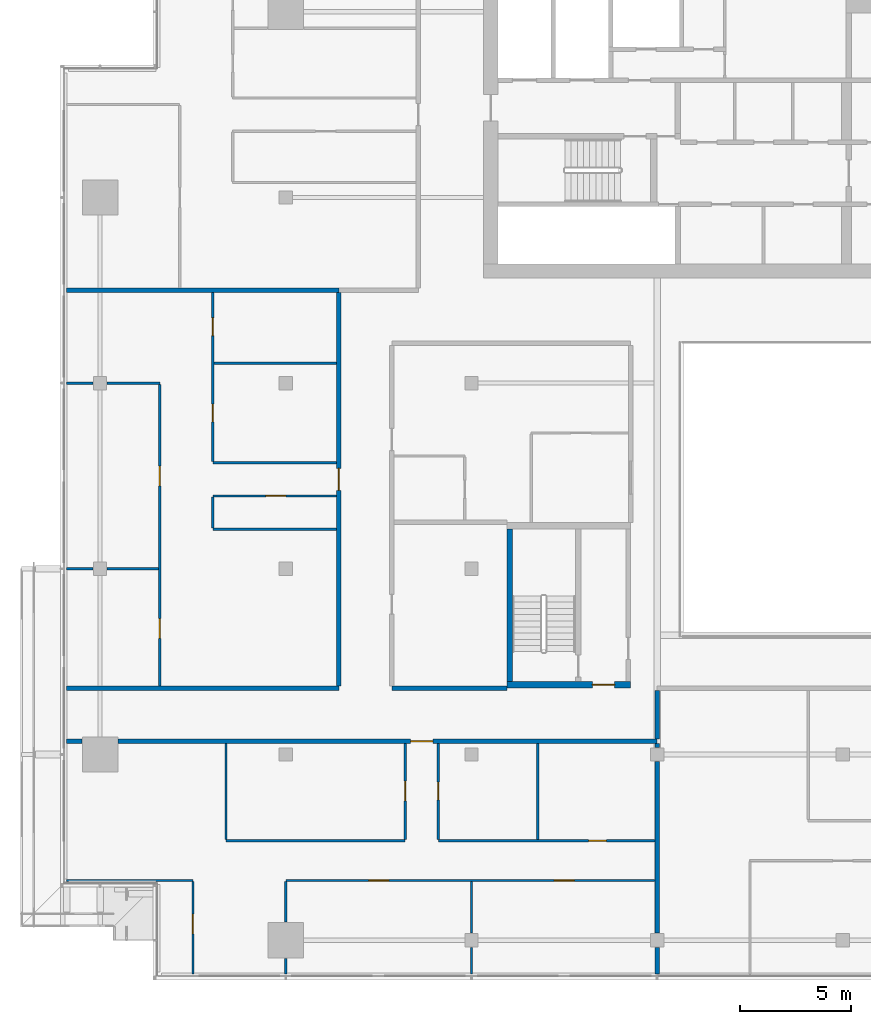
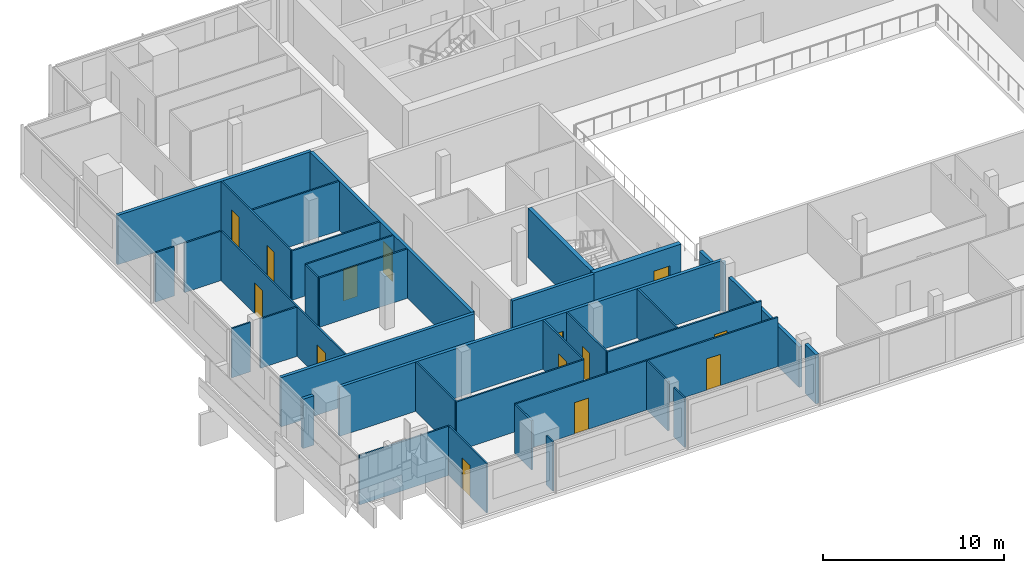
# One storey, part 16 of 30: 36 walls, 14 doors, 14 openings.
"""IFC4 building model written with IfcOpenShell, lengths in metres."""

from ifc_helpers import new_model, si_unit, direction, frame, frame_2d, origin, place, context, subcontext, project, spatial, rectangle, extrude, material, layer, layer_set, type_object, element, fill, save


model = new_model("IFC4")

# Units and contexts
model_context = context("Model", 3, precision=1e-05, world=origin(), true_north=direction((0.0, 1.0)))
body_context = subcontext(model_context, "Body", "Model", "MODEL_VIEW")
ifc_project = project(units=[si_unit("LENGTHUNIT", "METRE"), si_unit("AREAUNIT", "SQUARE_METRE"), si_unit("VOLUMEUNIT", "CUBIC_METRE"), si_unit("PLANEANGLEUNIT", "RADIAN"), si_unit("MASSUNIT", "GRAM", prefix="KILO")], contexts=[model_context])

# Site, building, storey
site_placement = place(None, origin())
site = spatial("IfcSite", under=ifc_project, at=site_placement, CompositionType="ELEMENT")
building_placement = place(site_placement, origin())
building = spatial("IfcBuilding", under=site, at=building_placement, Name="Saffron Gate Tower", CompositionType="ELEMENT")
storey_placement = place(building_placement, frame((0.0, 0.0, 245.10009765625)))
storey = spatial("IfcBuildingStorey", under=building, at=storey_placement, Name="L60", CompositionType="ELEMENT", Elevation=245.10009765625)

# Wall
ifc_material_1 = material(Name="Concrete C60", Category="concrete")
ifc_layer_1 = layer(ifc_material_1, 0.25)
ifc_layer_set_1 = layer_set([ifc_layer_1], Name="CW14 RC core wall 250 C60")
wall_type_1 = type_object("IfcWallType", Name="CW14 RC core wall 250 C60", PredefinedType="SOLIDWALL", material=ifc_layer_set_1)
wall_1_placement = place(storey_placement, frame((68.324951171875, 43.5, 0.0), z_axis=(0.0, 0.0, 1.0), x_axis=(0.0, 1.0, 0.0)))
element("IfcWall", 1, at=wall_1_placement, inside=storey, type_object=wall_type_1, Name="Wall CW14-L60-D-2", PredefinedType="SOLIDWALL", context=body_context, shape_type="SweptSolid", body=[
    extrude(rectangle(XDim=6.89990234375, YDim=0.25, at=frame_2d((3.449951171875, 0.0))), origin(), (0.0, 0.0, 1.0), 3.31982421875),
])

# Wall, opening, door
ifc_layer_2 = layer(ifc_material_1, 0.300048828125)
ifc_layer_set_2 = layer_set([ifc_layer_2], Name="CW17 RC core wall 300 C60")
wall_type_2 = type_object("IfcWallType", Name="CW17 RC core wall 300 C60", PredefinedType="SOLIDWALL", material=ifc_layer_set_2)
wall_2_placement = place(storey_placement, frame((68.199951171875, 43.35009765625, 0.0), z_axis=(0.0, 0.0, 1.0), x_axis=(1.0, 0.0, 0.0)))
wall_2 = element("IfcWall", 2, at=wall_2_placement, inside=storey, type_object=wall_type_2, Name="Wall CW17-L60-D-1", PredefinedType="SOLIDWALL", context=body_context, shape_type="SweptSolid", body=[
    extrude(rectangle(XDim=5.60009765625, YDim=0.300048828125, at=frame_2d((2.800048828125, 0.0))), origin(), (0.0, 0.0, 1.0), 3.31982421875),
])
opening_1_placement = place(wall_2_placement, frame((3.875, 0.0, 0.0)))
opening_1 = element("IfcOpeningElement", 3, at=opening_1_placement, cuts=wall_2, Name="Opening CR-18", PredefinedType="OPENING", context=body_context, shape_type="SweptSolid", body=[
    extrude(rectangle(XDim=1.0, YDim=2.10009765625, at=frame_2d((0.5, 1.050048828125))), frame((0.0, 0.16015625, 0.0), z_axis=(0.0, -1.0, 0.0), x_axis=(1.0, 0.0, 0.0)), (0.0, 0.0, 1.0), 0.320068359375),
])
ifc_material_2 = material(Name="Steel fire door set", Category="steel")
door_type_1 = type_object("IfcDoorType", Name="CD4 Lobby door 1000x2100 EI 120", OperationType="NOTDEFINED", PredefinedType="DOOR", material=ifc_material_2)
door_1_placement = place(opening_1_placement, origin())
door_1 = element("IfcDoor", 4, at=door_1_placement, inside=storey, type_object=door_type_1, Name="DOOR CR-18", OperationType="SINGLE_SWING_RIGHT", OverallHeight=2.10009765625, OverallWidth=1.0, PredefinedType="DOOR", context=body_context, shape_type="SweptSolid", body=[
    extrude(rectangle(XDim=1.0, YDim=2.10009765625, at=frame_2d((0.5, 1.050048828125))), frame((0.0, 0.02490234375, 0.0), z_axis=(0.0, -1.0, 0.0), x_axis=(1.0, 0.0, 0.0)), (0.0, 0.0, 1.0), 0.050048828125),
])
fill(opening_1, door_1)

# Wall
ifc_material_3 = material(Name="Plasterboard on steel studs", Category="steel")
ifc_layer_3 = layer(ifc_material_3, 0.10009765625)
ifc_layer_set_3 = layer_set([ifc_layer_3], Name="PW1 Partition 100")
wall_type_3 = type_object("IfcWallType", Name="PW1 Partition 100", PredefinedType="PARTITIONING", material=ifc_layer_set_3)
wall_3_placement = place(storey_placement, frame((48.280029296875, 34.5, 0.0), z_axis=(0.0, 0.0, 1.0), x_axis=(1.0, 0.0, 0.0)))
element("IfcWall", 5, at=wall_3_placement, inside=storey, type_object=wall_type_3, Name="Partition D4-1", PredefinedType="PARTITIONING", context=body_context, shape_type="SweptSolid", body=[
    extrude(rectangle(XDim=5.719970703125, YDim=0.10009765625, at=frame_2d((2.85986328125, 0.0))), origin(), (0.0, 0.0, 1.0), 3.31982421875),
])

# Wall, openings, doors
wall_4_placement = place(storey_placement, frame((74.89990234375, 34.5, 0.0), z_axis=(0.0, 0.0, 1.0), x_axis=(-1.0, 0.0, 0.0)))
wall_4 = element("IfcWall", 6, at=wall_4_placement, inside=storey, type_object=wall_type_3, Name="Partition D4-2", PredefinedType="PARTITIONING", context=body_context, shape_type="SweptSolid", body=[
    extrude(rectangle(XDim=16.699951171875, YDim=0.10009765625, at=frame_2d((8.35009765625, 0.0))), origin(), (0.0, 0.0, 1.0), 3.31982421875),
])
opening_2_placement = place(wall_4_placement, frame((3.64990234375, 0.0, 0.0)))
opening_2 = element("IfcOpeningElement", 7, at=opening_2_placement, cuts=wall_4, Name="Opening D4-12", PredefinedType="OPENING", context=body_context, shape_type="SweptSolid", body=[
    extrude(rectangle(XDim=0.89990234375, YDim=2.10009765625, at=frame_2d((0.449951171875, 1.050048828125))), frame((0.0, 0.06005859375, 0.0), z_axis=(0.0, -1.0, 0.0), x_axis=(1.0, 0.0, 0.0)), (0.0, 0.0, 1.0), 0.1201171875),
])
opening_3_placement = place(wall_4_placement, frame((12.050048828125, 0.0, 0.0)))
opening_3 = element("IfcOpeningElement", 8, at=opening_3_placement, cuts=wall_4, Name="Opening D4-11", PredefinedType="OPENING", context=body_context, shape_type="SweptSolid", body=[
    extrude(rectangle(XDim=0.89990234375, YDim=2.10009765625, at=frame_2d((0.449951171875, 1.050048828125))), frame((0.0, 0.06005859375, 0.0), z_axis=(0.0, -1.0, 0.0), x_axis=(1.0, 0.0, 0.0)), (0.0, 0.0, 1.0), 0.1201171875),
])
ifc_material_4 = material(Name="Timber door set", Category="wood")
door_type_2 = type_object("IfcDoorType", Name="RD1 Room door 900x2100", OperationType="NOTDEFINED", PredefinedType="DOOR", material=ifc_material_4)
door_2_placement = place(opening_2_placement, origin())
door_2 = element("IfcDoor", 9, at=door_2_placement, inside=storey, type_object=door_type_2, Name="Door D4-12", OperationType="SINGLE_SWING_LEFT", OverallHeight=2.10009765625, OverallWidth=0.89990234375, PredefinedType="DOOR", context=body_context, shape_type="SweptSolid", body=[
    extrude(rectangle(XDim=0.89990234375, YDim=2.10009765625, at=frame_2d((0.449951171875, 1.050048828125))), frame((0.0, 0.02490234375, 0.0), z_axis=(0.0, -1.0, 0.0), x_axis=(1.0, 0.0, 0.0)), (0.0, 0.0, 1.0), 0.050048828125),
])
fill(opening_2, door_2)
door_3_placement = place(opening_3_placement, origin())
door_3 = element("IfcDoor", 10, at=door_3_placement, inside=storey, type_object=door_type_2, Name="Door D4-11", OperationType="SINGLE_SWING_RIGHT", OverallHeight=2.10009765625, OverallWidth=0.89990234375, PredefinedType="DOOR", context=body_context, shape_type="SweptSolid", body=[
    extrude(rectangle(XDim=0.89990234375, YDim=2.10009765625, at=frame_2d((0.449951171875, 1.050048828125))), frame((0.0, 0.02490234375, 0.0), z_axis=(0.0, -1.0, 0.0), x_axis=(1.0, 0.0, 0.0)), (0.0, 0.0, 1.0), 0.050048828125),
])
fill(opening_3, door_3)

# Wall
wall_5_placement = place(storey_placement, frame((55.5, 36.300048828125, 0.0), z_axis=(0.0, 0.0, 1.0), x_axis=(1.0, 0.0, 0.0)))
element("IfcWall", 11, at=wall_5_placement, inside=storey, type_object=wall_type_3, Name="Partition D4-4", PredefinedType="PARTITIONING", context=body_context, shape_type="SweptSolid", body=[
    extrude(rectangle(XDim=8.10009765625, YDim=0.10009765625, at=frame_2d((4.050048828125, 0.0))), origin(), (0.0, 0.0, 1.0), 3.31982421875),
])

# Wall, opening, door
wall_6_placement = place(storey_placement, frame((65.10009765625, 36.300048828125, 0.0), z_axis=(0.0, 0.0, 1.0), x_axis=(1.0, 0.0, 0.0)))
wall_6 = element("IfcWall", 12, at=wall_6_placement, inside=storey, type_object=wall_type_3, Name="Partition D4-5", PredefinedType="PARTITIONING", context=body_context, shape_type="SweptSolid", body=[
    extrude(rectangle(XDim=9.7998046875, YDim=0.10009765625, at=frame_2d((4.89990234375, 0.0))), origin(), (0.0, 0.0, 1.0), 3.31982421875),
])
opening_4_placement = place(wall_6_placement, frame((6.800048828125, 0.0, 0.0)))
opening_4 = element("IfcOpeningElement", 13, at=opening_4_placement, cuts=wall_6, Name="Opening D4-38", PredefinedType="OPENING", context=body_context, shape_type="SweptSolid", body=[
    extrude(rectangle(XDim=0.800048828125, YDim=2.10009765625, at=frame_2d((0.39990234375, 1.050048828125))), frame((0.0, 0.06005859375, 0.0), z_axis=(0.0, -1.0, 0.0), x_axis=(1.0, 0.0, 0.0)), (0.0, 0.0, 1.0), 0.1201171875),
])
door_type_3 = type_object("IfcDoorType", Name="RD2 Bathroom door 800x2100", OperationType="NOTDEFINED", PredefinedType="DOOR", material=ifc_material_4)
door_4_placement = place(opening_4_placement, origin())
door_4 = element("IfcDoor", 14, at=door_4_placement, inside=storey, type_object=door_type_3, Name="Door D4-38", OperationType="SINGLE_SWING_RIGHT", OverallHeight=2.10009765625, OverallWidth=0.800048828125, PredefinedType="DOOR", context=body_context, shape_type="SweptSolid", body=[
    extrude(rectangle(XDim=0.800048828125, YDim=2.10009765625, at=frame_2d((0.39990234375, 1.050048828125))), frame((0.0, 0.02490234375, 0.0), z_axis=(0.0, -1.0, 0.0), x_axis=(1.0, 0.0, 0.0)), (0.0, 0.0, 1.0), 0.050048828125),
])
fill(opening_4, door_4)

# Walls
wall_7_placement = place(storey_placement, frame((48.280029296875, 48.60009765625, 0.0), z_axis=(0.0, 0.0, 1.0), x_axis=(1.0, 0.0, 0.0)))
element("IfcWall", 15, at=wall_7_placement, inside=storey, type_object=wall_type_3, Name="Partition D4-24", PredefinedType="PARTITIONING", context=body_context, shape_type="SweptSolid", body=[
    extrude(rectangle(XDim=1.199951171875, YDim=0.10009765625, at=frame_2d((0.60009765625, 0.0))), origin(), (0.0, 0.0, 1.0), 3.31982421875),
])
wall_8_placement = place(storey_placement, frame((50.1201171875, 48.60009765625, 0.0), z_axis=(0.0, 0.0, 1.0), x_axis=(1.0, 0.0, 0.0)))
element("IfcWall", 16, at=wall_8_placement, inside=storey, type_object=wall_type_3, Name="Partition D4-25", PredefinedType="PARTITIONING", context=body_context, shape_type="SweptSolid", body=[
    extrude(rectangle(XDim=2.329833984375, YDim=0.10009765625, at=frame_2d((1.1650390625, 0.0))), origin(), (0.0, 0.0, 1.0), 3.31982421875),
])
wall_9_placement = place(storey_placement, frame((54.89990234375, 50.39306640625, 0.0), z_axis=(0.0, 0.0, 1.0), x_axis=(1.0, 0.0, 0.0)))
element("IfcWall", 17, at=wall_9_placement, inside=storey, type_object=wall_type_3, Name="Partition D4-28", PredefinedType="PARTITIONING", context=body_context, shape_type="SweptSolid", body=[
    extrude(rectangle(XDim=5.60009765625, YDim=0.10009765625, at=frame_2d((2.800048828125, 0.0))), origin(), (0.0, 0.0, 1.0), 3.31982421875),
])

# Wall, opening, door
wall_10_placement = place(storey_placement, frame((60.5, 51.89990234375, 0.0), z_axis=(0.0, 0.0, 1.0), x_axis=(-1.0, 0.0, 0.0)))
wall_10 = element("IfcWall", 18, at=wall_10_placement, inside=storey, type_object=wall_type_3, Name="Partition D4-31", PredefinedType="PARTITIONING", context=body_context, shape_type="SweptSolid", body=[
    extrude(rectangle(XDim=5.60009765625, YDim=0.10009765625, at=frame_2d((2.800048828125, 0.0))), origin(), (0.0, 0.0, 1.0), 3.31982421875),
])
opening_5_placement = place(wall_10_placement, frame((2.300048828125, 0.0, 0.0)))
opening_5 = element("IfcOpeningElement", 19, at=opening_5_placement, cuts=wall_10, Name="Opening D4-25", PredefinedType="OPENING", context=body_context, shape_type="SweptSolid", body=[
    extrude(rectangle(XDim=0.89990234375, YDim=2.10009765625, at=frame_2d((0.449951171875, 1.050048828125))), frame((0.0, 0.06005859375, 0.0), z_axis=(0.0, -1.0, 0.0), x_axis=(1.0, 0.0, 0.0)), (0.0, 0.0, 1.0), 0.1201171875),
])
door_5_placement = place(opening_5_placement, origin())
door_5 = element("IfcDoor", 20, at=door_5_placement, inside=storey, type_object=door_type_2, Name="Door D4-25", OperationType="SINGLE_SWING_LEFT", OverallHeight=2.10009765625, OverallWidth=0.89990234375, PredefinedType="DOOR", context=body_context, shape_type="SweptSolid", body=[
    extrude(rectangle(XDim=0.89990234375, YDim=2.10009765625, at=frame_2d((0.449951171875, 1.050048828125))), frame((0.0, 0.02490234375, 0.0), z_axis=(0.0, -1.0, 0.0), x_axis=(1.0, 0.0, 0.0)), (0.0, 0.0, 1.0), 0.050048828125),
])
fill(opening_5, door_5)

# Walls
wall_11_placement = place(storey_placement, frame((54.89990234375, 53.39990234375, 0.0), z_axis=(0.0, 0.0, 1.0), x_axis=(1.0, 0.0, 0.0)))
element("IfcWall", 21, at=wall_11_placement, inside=storey, type_object=wall_type_3, Name="Partition D4-33", PredefinedType="PARTITIONING", context=body_context, shape_type="SweptSolid", body=[
    extrude(rectangle(XDim=5.60009765625, YDim=0.10009765625, at=frame_2d((2.800048828125, 0.0))), origin(), (0.0, 0.0, 1.0), 3.31982421875),
])
wall_12_placement = place(storey_placement, frame((48.280029296875, 57.0, 0.0), z_axis=(0.0, 0.0, 1.0), x_axis=(1.0, 0.0, 0.0)))
element("IfcWall", 22, at=wall_12_placement, inside=storey, type_object=wall_type_3, Name="Partition D4-38", PredefinedType="PARTITIONING", context=body_context, shape_type="SweptSolid", body=[
    extrude(rectangle(XDim=1.199951171875, YDim=0.10009765625, at=frame_2d((0.60009765625, 0.0))), origin(), (0.0, 0.0, 1.0), 3.31982421875),
])
wall_13_placement = place(storey_placement, frame((50.1201171875, 57.0, 0.0), z_axis=(0.0, 0.0, 1.0), x_axis=(1.0, 0.0, 0.0)))
element("IfcWall", 23, at=wall_13_placement, inside=storey, type_object=wall_type_3, Name="Partition D4-39", PredefinedType="PARTITIONING", context=body_context, shape_type="SweptSolid", body=[
    extrude(rectangle(XDim=2.3798828125, YDim=0.10009765625, at=frame_2d((1.18994140625, 0.0))), origin(), (0.0, 0.0, 1.0), 3.31982421875),
])
wall_14_placement = place(storey_placement, frame((54.949951171875, 57.89990234375, 0.0), z_axis=(0.0, 0.0, 1.0), x_axis=(1.0, 0.0, 0.0)))
element("IfcWall", 24, at=wall_14_placement, inside=storey, type_object=wall_type_3, Name="Partition D4-42", PredefinedType="PARTITIONING", context=body_context, shape_type="SweptSolid", body=[
    extrude(rectangle(XDim=5.550048828125, YDim=0.10009765625, at=frame_2d((2.77490234375, 0.0))), origin(), (0.0, 0.0, 1.0), 3.31982421875),
])

# Wall, openings, doors
wall_15_placement = place(storey_placement, frame((52.5, 43.300048828125, 0.0), z_axis=(0.0, 0.0, 1.0), x_axis=(0.0, 1.0, 0.0)))
wall_15 = element("IfcWall", 25, at=wall_15_placement, inside=storey, type_object=wall_type_3, Name="Partition D4-59", PredefinedType="PARTITIONING", context=body_context, shape_type="SweptSolid", body=[
    extrude(rectangle(XDim=13.64990234375, YDim=0.10009765625, at=frame_2d((6.824951171875, 0.0))), origin(), (0.0, 0.0, 1.0), 3.31982421875),
])
opening_6_placement = place(wall_15_placement, frame((2.14990234375, 0.0, 0.0)))
opening_6 = element("IfcOpeningElement", 26, at=opening_6_placement, cuts=wall_15, Name="Opening D4-23", PredefinedType="OPENING", context=body_context, shape_type="SweptSolid", body=[
    extrude(rectangle(XDim=0.89990234375, YDim=2.10009765625, at=frame_2d((0.449951171875, 1.050048828125))), frame((0.0, 0.06005859375, 0.0), z_axis=(0.0, -1.0, 0.0), x_axis=(1.0, 0.0, 0.0)), (0.0, 0.0, 1.0), 0.1201171875),
])
opening_7_placement = place(wall_15_placement, frame((9.050048828125, 0.0, 0.0)))
opening_7 = element("IfcOpeningElement", 27, at=opening_7_placement, cuts=wall_15, Name="Opening D4-24", PredefinedType="OPENING", context=body_context, shape_type="SweptSolid", body=[
    extrude(rectangle(XDim=0.89990234375, YDim=2.10009765625, at=frame_2d((0.449951171875, 1.050048828125))), frame((0.0, 0.06005859375, 0.0), z_axis=(0.0, -1.0, 0.0), x_axis=(1.0, 0.0, 0.0)), (0.0, 0.0, 1.0), 0.1201171875),
])
door_6_placement = place(opening_6_placement, origin())
door_6 = element("IfcDoor", 28, at=door_6_placement, inside=storey, type_object=door_type_2, Name="Door D4-23", OperationType="SINGLE_SWING_LEFT", OverallHeight=2.10009765625, OverallWidth=0.89990234375, PredefinedType="DOOR", context=body_context, shape_type="SweptSolid", body=[
    extrude(rectangle(XDim=0.89990234375, YDim=2.10009765625, at=frame_2d((0.449951171875, 1.050048828125))), frame((0.0, 0.02490234375, 0.0), z_axis=(0.0, -1.0, 0.0), x_axis=(1.0, 0.0, 0.0)), (0.0, 0.0, 1.0), 0.050048828125),
])
fill(opening_6, door_6)
door_7_placement = place(opening_7_placement, origin())
door_7 = element("IfcDoor", 29, at=door_7_placement, inside=storey, type_object=door_type_2, Name="Door D4-24", OperationType="SINGLE_SWING_RIGHT", OverallHeight=2.10009765625, OverallWidth=0.89990234375, PredefinedType="DOOR", context=body_context, shape_type="SweptSolid", body=[
    extrude(rectangle(XDim=0.89990234375, YDim=2.10009765625, at=frame_2d((0.449951171875, 1.050048828125))), frame((0.0, 0.02490234375, 0.0), z_axis=(0.0, -1.0, 0.0), x_axis=(1.0, 0.0, 0.0)), (0.0, 0.0, 1.0), 0.050048828125),
])
fill(opening_7, door_7)

# Wall, opening, door
wall_16_placement = place(storey_placement, frame((54.0, 30.280029296875, 0.0), z_axis=(0.0, 0.0, 1.0), x_axis=(0.0, 1.0, 0.0)))
wall_16 = element("IfcWall", 30, at=wall_16_placement, inside=storey, type_object=wall_type_3, Name="Partition D4-61", PredefinedType="PARTITIONING", context=body_context, shape_type="SweptSolid", body=[
    extrude(rectangle(XDim=4.169921875, YDim=0.10009765625, at=frame_2d((2.0849609375, 0.0))), origin(), (0.0, 0.0, 1.0), 3.31982421875),
])
opening_8_placement = place(wall_16_placement, frame((1.802734375, 0.0, 0.0)))
opening_8 = element("IfcOpeningElement", 31, at=opening_8_placement, cuts=wall_16, Name="Opening D4-10", PredefinedType="OPENING", context=body_context, shape_type="SweptSolid", body=[
    extrude(rectangle(XDim=0.89990234375, YDim=2.10009765625, at=frame_2d((0.449951171875, 1.050048828125))), frame((0.0, 0.06005859375, 0.0), z_axis=(0.0, -1.0, 0.0), x_axis=(1.0, 0.0, 0.0)), (0.0, 0.0, 1.0), 0.1201171875),
])
door_8_placement = place(opening_8_placement, origin())
door_8 = element("IfcDoor", 32, at=door_8_placement, inside=storey, type_object=door_type_2, Name="Door D4-10", OperationType="SINGLE_SWING_RIGHT", OverallHeight=2.10009765625, OverallWidth=0.89990234375, PredefinedType="DOOR", context=body_context, shape_type="SweptSolid", body=[
    extrude(rectangle(XDim=0.89990234375, YDim=2.10009765625, at=frame_2d((0.449951171875, 1.050048828125))), frame((0.0, 0.02490234375, 0.0), z_axis=(0.0, -1.0, 0.0), x_axis=(1.0, 0.0, 0.0)), (0.0, 0.0, 1.0), 0.050048828125),
])
fill(opening_8, door_8)

# Wall
wall_17_placement = place(storey_placement, frame((54.89990234375, 51.85009765625, 0.0), z_axis=(0.0, 0.0, 1.0), x_axis=(0.0, -1.0, 0.0)))
element("IfcWall", 33, at=wall_17_placement, inside=storey, type_object=wall_type_3, Name="Partition D4-62", PredefinedType="PARTITIONING", context=body_context, shape_type="SweptSolid", body=[
    extrude(rectangle(XDim=1.406982421875, YDim=0.10009765625, at=frame_2d((0.70361328125, 0.0))), origin(), (0.0, 0.0, 1.0), 3.31982421875),
])

# Wall, openings, doors
wall_18_placement = place(storey_placement, frame((54.89990234375, 61.10009765625, 0.0), z_axis=(0.0, 0.0, 1.0), x_axis=(0.0, -1.0, 0.0)))
wall_18 = element("IfcWall", 34, at=wall_18_placement, inside=storey, type_object=wall_type_3, Name="Partition D4-63", PredefinedType="PARTITIONING", context=body_context, shape_type="SweptSolid", body=[
    extrude(rectangle(XDim=7.650146484375, YDim=0.10009765625, at=frame_2d((3.8251953125, 0.0))), origin(), (0.0, 0.0, 1.0), 3.31982421875),
])
opening_9_placement = place(wall_18_placement, frame((1.14990234375, 0.0, 0.0)))
opening_9 = element("IfcOpeningElement", 35, at=opening_9_placement, cuts=wall_18, Name="Opening D4-44", PredefinedType="OPENING", context=body_context, shape_type="SweptSolid", body=[
    extrude(rectangle(XDim=0.800048828125, YDim=2.10009765625, at=frame_2d((0.39990234375, 1.050048828125))), frame((0.0, 0.06005859375, 0.0), z_axis=(0.0, -1.0, 0.0), x_axis=(1.0, 0.0, 0.0)), (0.0, 0.0, 1.0), 0.1201171875),
])
opening_10_placement = place(wall_18_placement, frame((5.050048828125, 0.0, 0.0)))
opening_10 = element("IfcOpeningElement", 36, at=opening_10_placement, cuts=wall_18, Name="Opening D4-43", PredefinedType="OPENING", context=body_context, shape_type="SweptSolid", body=[
    extrude(rectangle(XDim=0.800048828125, YDim=2.10009765625, at=frame_2d((0.39990234375, 1.050048828125))), frame((0.0, 0.06005859375, 0.0), z_axis=(0.0, -1.0, 0.0), x_axis=(1.0, 0.0, 0.0)), (0.0, 0.0, 1.0), 0.1201171875),
])
door_9_placement = place(opening_9_placement, origin())
door_9 = element("IfcDoor", 37, at=door_9_placement, inside=storey, type_object=door_type_3, Name="Door D4-44", OperationType="SINGLE_SWING_LEFT", OverallHeight=2.10009765625, OverallWidth=0.800048828125, PredefinedType="DOOR", context=body_context, shape_type="SweptSolid", body=[
    extrude(rectangle(XDim=0.800048828125, YDim=2.10009765625, at=frame_2d((0.39990234375, 1.050048828125))), frame((0.0, 0.02490234375, 0.0), z_axis=(0.0, -1.0, 0.0), x_axis=(1.0, 0.0, 0.0)), (0.0, 0.0, 1.0), 0.050048828125),
])
fill(opening_9, door_9)
door_10_placement = place(opening_10_placement, origin())
door_10 = element("IfcDoor", 38, at=door_10_placement, inside=storey, type_object=door_type_3, Name="Door D4-43", OperationType="SINGLE_SWING_RIGHT", OverallHeight=2.10009765625, OverallWidth=0.800048828125, PredefinedType="DOOR", context=body_context, shape_type="SweptSolid", body=[
    extrude(rectangle(XDim=0.800048828125, YDim=2.10009765625, at=frame_2d((0.39990234375, 1.050048828125))), frame((0.0, 0.02490234375, 0.0), z_axis=(0.0, -1.0, 0.0), x_axis=(1.0, 0.0, 0.0)), (0.0, 0.0, 1.0), 0.050048828125),
])
fill(opening_10, door_10)

# Walls
wall_19_placement = place(storey_placement, frame((55.5, 40.699951171875, 0.0), z_axis=(0.0, 0.0, 1.0), x_axis=(0.0, -1.0, 0.0)))
element("IfcWall", 39, at=wall_19_placement, inside=storey, type_object=wall_type_3, Name="Partition D4-64", PredefinedType="PARTITIONING", context=body_context, shape_type="SweptSolid", body=[
    extrude(rectangle(XDim=4.349853515625, YDim=0.10009765625, at=frame_2d((2.1748046875, 0.0))), origin(), (0.0, 0.0, 1.0), 3.31982421875),
])
wall_20_placement = place(storey_placement, frame((58.199951171875, 30.97998046875, 0.0), z_axis=(0.0, 0.0, 1.0), x_axis=(0.0, -1.0, 0.0)))
element("IfcWall", 40, at=wall_20_placement, inside=storey, type_object=wall_type_3, Name="Partition D4-67", PredefinedType="PARTITIONING", context=body_context, shape_type="SweptSolid", body=[
    extrude(rectangle(XDim=0.699951171875, YDim=0.10009765625, at=frame_2d((0.35009765625, 0.0))), origin(), (0.0, 0.0, 1.0), 3.31982421875),
])
wall_21_placement = place(storey_placement, frame((58.199951171875, 34.449951171875, 0.0), z_axis=(0.0, 0.0, 1.0), x_axis=(0.0, -1.0, 0.0)))
element("IfcWall", 41, at=wall_21_placement, inside=storey, type_object=wall_type_3, Name="Partition D4-68", PredefinedType="PARTITIONING", context=body_context, shape_type="SweptSolid", body=[
    extrude(rectangle(XDim=1.829833984375, YDim=0.10009765625, at=frame_2d((0.9150390625, 0.0))), origin(), (0.0, 0.0, 1.0), 3.31982421875),
])

# Wall, opening, door
wall_22_placement = place(storey_placement, frame((63.60009765625, 36.35009765625, 0.0), z_axis=(0.0, 0.0, 1.0), x_axis=(0.0, 1.0, 0.0)))
wall_22 = element("IfcWall", 42, at=wall_22_placement, inside=storey, type_object=wall_type_3, Name="Partition D4-71", PredefinedType="PARTITIONING", context=body_context, shape_type="SweptSolid", body=[
    extrude(rectangle(XDim=4.349853515625, YDim=0.10009765625, at=frame_2d((2.1748046875, 0.0))), origin(), (0.0, 0.0, 1.0), 3.31982421875),
])
opening_11_placement = place(wall_22_placement, frame((1.75, 0.0, 0.0)))
opening_11 = element("IfcOpeningElement", 43, at=opening_11_placement, cuts=wall_22, Name="Opening D4-13", PredefinedType="OPENING", context=body_context, shape_type="SweptSolid", body=[
    extrude(rectangle(XDim=0.89990234375, YDim=2.10009765625, at=frame_2d((0.449951171875, 1.050048828125))), frame((0.0, 0.06005859375, 0.0), z_axis=(0.0, -1.0, 0.0), x_axis=(1.0, 0.0, 0.0)), (0.0, 0.0, 1.0), 0.1201171875),
])
door_11_placement = place(opening_11_placement, origin())
door_11 = element("IfcDoor", 44, at=door_11_placement, inside=storey, type_object=door_type_2, Name="Door D4-13", OperationType="SINGLE_SWING_RIGHT", OverallHeight=2.10009765625, OverallWidth=0.89990234375, PredefinedType="DOOR", context=body_context, shape_type="SweptSolid", body=[
    extrude(rectangle(XDim=0.89990234375, YDim=2.10009765625, at=frame_2d((0.449951171875, 1.050048828125))), frame((0.0, 0.02490234375, 0.0), z_axis=(0.0, -1.0, 0.0), x_axis=(1.0, 0.0, 0.0)), (0.0, 0.0, 1.0), 0.050048828125),
])
fill(opening_11, door_11)

wall_23_placement = place(storey_placement, frame((65.10009765625, 40.699951171875, 0.0), z_axis=(0.0, 0.0, 1.0), x_axis=(0.0, -1.0, 0.0)))
wall_23 = element("IfcWall", 45, at=wall_23_placement, inside=storey, type_object=wall_type_3, Name="Partition D4-73", PredefinedType="PARTITIONING", context=body_context, shape_type="SweptSolid", body=[
    extrude(rectangle(XDim=4.349853515625, YDim=0.10009765625, at=frame_2d((2.1748046875, 0.0))), origin(), (0.0, 0.0, 1.0), 3.31982421875),
])
opening_12_placement = place(wall_23_placement, frame((1.75, 0.0, 0.0)))
opening_12 = element("IfcOpeningElement", 46, at=opening_12_placement, cuts=wall_23, Name="Opening D4-37", PredefinedType="OPENING", context=body_context, shape_type="SweptSolid", body=[
    extrude(rectangle(XDim=0.800048828125, YDim=2.10009765625, at=frame_2d((0.39990234375, 1.050048828125))), frame((0.0, 0.06005859375, 0.0), z_axis=(0.0, -1.0, 0.0), x_axis=(1.0, 0.0, 0.0)), (0.0, 0.0, 1.0), 0.1201171875),
])
door_12_placement = place(opening_12_placement, origin())
door_12 = element("IfcDoor", 47, at=door_12_placement, inside=storey, type_object=door_type_3, Name="Door D4-37", OperationType="SINGLE_SWING_LEFT", OverallHeight=2.10009765625, OverallWidth=0.800048828125, PredefinedType="DOOR", context=body_context, shape_type="SweptSolid", body=[
    extrude(rectangle(XDim=0.800048828125, YDim=2.10009765625, at=frame_2d((0.39990234375, 1.050048828125))), frame((0.0, 0.02490234375, 0.0), z_axis=(0.0, -1.0, 0.0), x_axis=(1.0, 0.0, 0.0)), (0.0, 0.0, 1.0), 0.050048828125),
])
fill(opening_12, door_12)

# Walls
wall_24_placement = place(storey_placement, frame((66.60009765625, 31.47998046875, 0.0), z_axis=(0.0, 0.0, 1.0), x_axis=(0.0, -1.0, 0.0)))
element("IfcWall", 48, at=wall_24_placement, inside=storey, type_object=wall_type_3, Name="Partition D4-75", PredefinedType="PARTITIONING", context=body_context, shape_type="SweptSolid", body=[
    extrude(rectangle(XDim=1.199951171875, YDim=0.10009765625, at=frame_2d((0.60009765625, 0.0))), origin(), (0.0, 0.0, 1.0), 3.31982421875),
])
wall_25_placement = place(storey_placement, frame((66.60009765625, 34.449951171875, 0.0), z_axis=(0.0, 0.0, 1.0), x_axis=(0.0, -1.0, 0.0)))
element("IfcWall", 49, at=wall_25_placement, inside=storey, type_object=wall_type_3, Name="Partition D4-76", PredefinedType="PARTITIONING", context=body_context, shape_type="SweptSolid", body=[
    extrude(rectangle(XDim=2.329833984375, YDim=0.10009765625, at=frame_2d((1.1650390625, 0.0))), origin(), (0.0, 0.0, 1.0), 3.31982421875),
])
wall_26_placement = place(storey_placement, frame((69.60009765625, 40.699951171875, 0.0), z_axis=(0.0, 0.0, 1.0), x_axis=(0.0, -1.0, 0.0)))
element("IfcWall", 50, at=wall_26_placement, inside=storey, type_object=wall_type_3, Name="Partition D4-78", PredefinedType="PARTITIONING", context=body_context, shape_type="SweptSolid", body=[
    extrude(rectangle(XDim=4.349853515625, YDim=0.10009765625, at=frame_2d((2.1748046875, 0.0))), origin(), (0.0, 0.0, 1.0), 3.31982421875),
])
ifc_material_5 = material(Name="Clay brick masonry, rendered", Category="masonry")
ifc_layer_4 = layer(ifc_material_5, 0.199951171875)
ifc_layer_set_4 = layer_set([ifc_layer_4], Name="PW2 Demising wall 200")
wall_type_4 = type_object("IfcWallType", Name="PW2 Demising wall 200", PredefinedType="PARTITIONING", material=ifc_layer_set_4)
wall_27_placement = place(storey_placement, frame((48.280029296875, 61.199951171875, 0.0), z_axis=(0.0, 0.0, 1.0), x_axis=(1.0, 0.0, 0.0)))
element("IfcWall", 51, at=wall_27_placement, inside=storey, type_object=wall_type_4, Name="Wall D4-47", PredefinedType="PARTITIONING", context=body_context, shape_type="SweptSolid", body=[
    extrude(rectangle(XDim=12.320068359375, YDim=0.199951171875, at=frame_2d((6.16015625, 0.0))), origin(), (0.0, 0.0, 1.0), 3.31982421875),
])
wall_28_placement = place(storey_placement, frame((75.0, 31.47998046875, 0.0), z_axis=(0.0, 0.0, 1.0), x_axis=(0.0, -1.0, 0.0)))
element("IfcWall", 52, at=wall_28_placement, inside=storey, type_object=wall_type_4, Name="Wall D4-81", PredefinedType="PARTITIONING", context=body_context, shape_type="SweptSolid", body=[
    extrude(rectangle(XDim=1.199951171875, YDim=0.199951171875, at=frame_2d((0.60009765625, 0.0))), origin(), (0.0, 0.0, 1.0), 3.31982421875),
])
wall_29_placement = place(storey_placement, frame((75.0, 39.8798828125, 0.0), z_axis=(0.0, 0.0, 1.0), x_axis=(0.0, -1.0, 0.0)))
element("IfcWall", 53, at=wall_29_placement, inside=storey, type_object=wall_type_4, Name="Wall D4-82", PredefinedType="PARTITIONING", context=body_context, shape_type="SweptSolid", body=[
    extrude(rectangle(XDim=7.759765625, YDim=0.199951171875, at=frame_2d((3.8798828125, 0.0))), origin(), (0.0, 0.0, 1.0), 2.719970703125),
])
wall_30_placement = place(storey_placement, frame((75.0, 40.699951171875, 0.0), z_axis=(0.0, 0.0, 1.0), x_axis=(0.0, -1.0, 0.0)))
element("IfcWall", 54, at=wall_30_placement, inside=storey, type_object=wall_type_4, Name="Wall D4-83", PredefinedType="PARTITIONING", context=body_context, shape_type="SweptSolid", body=[
    extrude(rectangle(XDim=0.179931640625, YDim=0.199951171875, at=frame_2d((0.08984375, 0.0))), origin(), (0.0, 0.0, 1.0), 3.31982421875),
])
ifc_layer_5 = layer(ifc_material_5, 0.199951171875)
ifc_layer_set_5 = layer_set([ifc_layer_5], Name="PW3 Corridor wall 200")
wall_type_5 = type_object("IfcWallType", Name="PW3 Corridor wall 200", PredefinedType="PARTITIONING", material=ifc_layer_set_5)
wall_31_placement = place(storey_placement, frame((48.280029296875, 40.800048828125, 0.0), z_axis=(0.0, 0.0, 1.0), x_axis=(1.0, 0.0, 0.0)))
element("IfcWall", 55, at=wall_31_placement, inside=storey, type_object=wall_type_5, Name="Wall D4-12", PredefinedType="PARTITIONING", context=body_context, shape_type="SweptSolid", body=[
    extrude(rectangle(XDim=0.699951171875, YDim=0.199951171875, at=frame_2d((0.35009765625, 0.0))), origin(), (0.0, 0.0, 1.0), 3.31982421875),
])

# Wall, opening, door
wall_32_placement = place(storey_placement, frame((75.0, 40.800048828125, 0.0), z_axis=(0.0, 0.0, 1.0), x_axis=(-1.0, 0.0, 0.0)))
wall_32 = element("IfcWall", 56, at=wall_32_placement, inside=storey, type_object=wall_type_5, Name="Wall D4-13", PredefinedType="PARTITIONING", context=body_context, shape_type="SweptSolid", body=[
    extrude(rectangle(XDim=24.3798828125, YDim=0.199951171875, at=frame_2d((12.18994140625, 0.0))), origin(), (0.0, 0.0, 1.0), 3.31982421875),
])
opening_13_placement = place(wall_32_placement, frame((10.14990234375, 0.0, 0.0)))
opening_13 = element("IfcOpeningElement", 57, at=opening_13_placement, cuts=wall_32, Name="Opening D4-1", PredefinedType="OPENING", context=body_context, shape_type="SweptSolid", body=[
    extrude(rectangle(XDim=1.0, YDim=2.10009765625, at=frame_2d((0.5, 1.050048828125))), frame((0.0, 0.10986328125, 0.0), z_axis=(0.0, -1.0, 0.0), x_axis=(1.0, 0.0, 0.0)), (0.0, 0.0, 1.0), 0.219970703125),
])
ifc_material_6 = material(Name="Timber fire door set", Category="wood")
door_type_4 = type_object("IfcDoorType", Name="FD1 Flat entry door 1000x2100", OperationType="NOTDEFINED", PredefinedType="DOOR", material=ifc_material_6)
door_13_placement = place(opening_13_placement, origin())
door_13 = element("IfcDoor", 58, at=door_13_placement, inside=storey, type_object=door_type_4, Name="Door D4-1", OperationType="SINGLE_SWING_LEFT", OverallHeight=2.10009765625, OverallWidth=1.0, PredefinedType="DOOR", context=body_context, shape_type="SweptSolid", body=[
    extrude(rectangle(XDim=1.0, YDim=2.10009765625, at=frame_2d((0.5, 1.050048828125))), frame((0.0, 0.02490234375, 0.0), z_axis=(0.0, -1.0, 0.0), x_axis=(1.0, 0.0, 0.0)), (0.0, 0.0, 1.0), 0.050048828125),
])
fill(opening_13, door_13)

# Walls
wall_33_placement = place(storey_placement, frame((48.280029296875, 43.199951171875, 0.0), z_axis=(0.0, 0.0, 1.0), x_axis=(1.0, 0.0, 0.0)))
element("IfcWall", 59, at=wall_33_placement, inside=storey, type_object=wall_type_5, Name="Wall D4-16", PredefinedType="PARTITIONING", context=body_context, shape_type="SweptSolid", body=[
    extrude(rectangle(XDim=12.320068359375, YDim=0.199951171875, at=frame_2d((6.16015625, 0.0))), origin(), (0.0, 0.0, 1.0), 3.31982421875),
])
wall_34_placement = place(storey_placement, frame((63.0, 43.199951171875, 0.0), z_axis=(0.0, 0.0, 1.0), x_axis=(1.0, 0.0, 0.0)))
element("IfcWall", 60, at=wall_34_placement, inside=storey, type_object=wall_type_5, Name="Wall D4-17", PredefinedType="PARTITIONING", context=body_context, shape_type="SweptSolid", body=[
    extrude(rectangle(XDim=5.199951171875, YDim=0.199951171875, at=frame_2d((2.60009765625, 0.0))), origin(), (0.0, 0.0, 1.0), 3.31982421875),
])

# Wall, opening, door
wall_35_placement = place(storey_placement, frame((60.60009765625, 43.300048828125, 0.0), z_axis=(0.0, 0.0, 1.0), x_axis=(0.0, 1.0, 0.0)))
wall_35 = element("IfcWall", 61, at=wall_35_placement, inside=storey, type_object=wall_type_5, Name="Wall D4-69", PredefinedType="PARTITIONING", context=body_context, shape_type="SweptSolid", body=[
    extrude(rectangle(XDim=17.800048828125, YDim=0.199951171875, at=frame_2d((8.89990234375, 0.0))), origin(), (0.0, 0.0, 1.0), 3.31982421875),
])
opening_14_placement = place(wall_35_placement, frame((8.85009765625, 0.0, 0.0)))
opening_14 = element("IfcOpeningElement", 62, at=opening_14_placement, cuts=wall_35, Name="Opening D4-4", PredefinedType="OPENING", context=body_context, shape_type="SweptSolid", body=[
    extrude(rectangle(XDim=1.0, YDim=2.10009765625, at=frame_2d((0.5, 1.050048828125))), frame((0.0, 0.10986328125, 0.0), z_axis=(0.0, -1.0, 0.0), x_axis=(1.0, 0.0, 0.0)), (0.0, 0.0, 1.0), 0.219970703125),
])
door_14_placement = place(opening_14_placement, origin())
door_14 = element("IfcDoor", 63, at=door_14_placement, inside=storey, type_object=door_type_4, Name="Door D4-4", OperationType="SINGLE_SWING_RIGHT", OverallHeight=2.10009765625, OverallWidth=1.0, PredefinedType="DOOR", context=body_context, shape_type="SweptSolid", body=[
    extrude(rectangle(XDim=1.0, YDim=2.10009765625, at=frame_2d((0.5, 1.050048828125))), frame((0.0, 0.02490234375, 0.0), z_axis=(0.0, -1.0, 0.0), x_axis=(1.0, 0.0, 0.0)), (0.0, 0.0, 1.0), 0.050048828125),
])
fill(opening_14, door_14)

# Wall
wall_36_placement = place(storey_placement, frame((75.0, 43.10009765625, 0.0), z_axis=(0.0, 0.0, 1.0), x_axis=(0.0, -1.0, 0.0)))
element("IfcWall", 64, at=wall_36_placement, inside=storey, type_object=wall_type_5, Name="Wall D4-80", PredefinedType="PARTITIONING", context=body_context, shape_type="SweptSolid", body=[
    extrude(rectangle(XDim=2.2001953125, YDim=0.199951171875, at=frame_2d((1.10009765625, 0.0))), origin(), (0.0, 0.0, 1.0), 2.52978515625),
])

save(model, "model.ifc")
